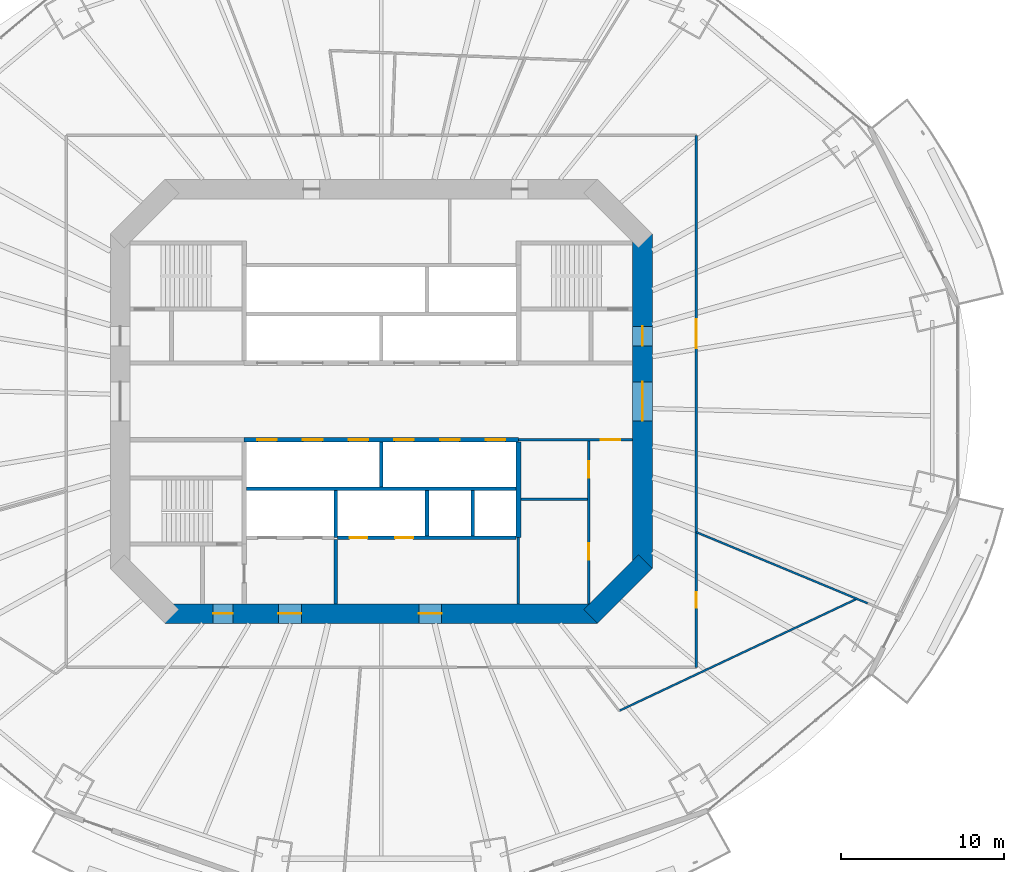
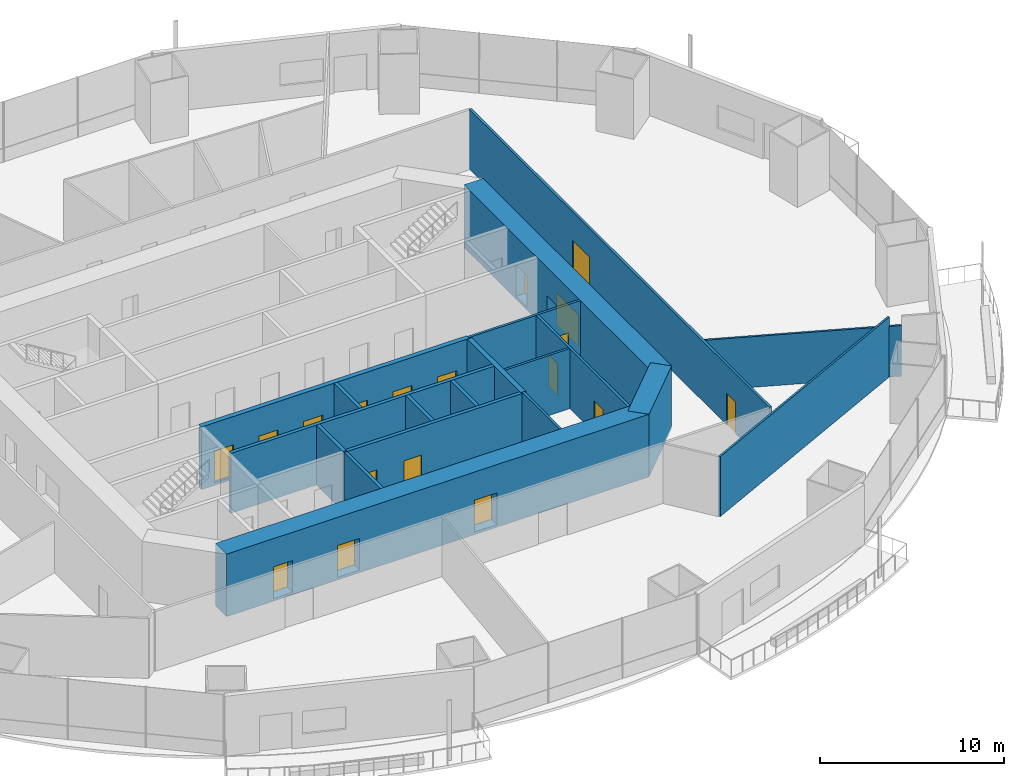
# One storey, part 15 of 23: 19 walls, 18 doors, 18 openings.
"""IFC4 building model written with IfcOpenShell, lengths in metres."""

from ifc_helpers import new_model, si_unit, direction, frame, frame_2d, origin, place, context, subcontext, project, spatial, rectangle, extrude, material, layer, layer_set, type_object, element, fill, save


model = new_model("IFC4")

# Units and contexts
model_context = context("Model", 3, precision=1e-05, world=origin(), true_north=direction((0.0, 1.0)))
body_context = subcontext(model_context, "Body", "Model", "MODEL_VIEW")
ifc_project = project(units=[si_unit("LENGTHUNIT", "METRE"), si_unit("AREAUNIT", "SQUARE_METRE"), si_unit("VOLUMEUNIT", "CUBIC_METRE"), si_unit("PLANEANGLEUNIT", "RADIAN"), si_unit("MASSUNIT", "GRAM", prefix="KILO")], contexts=[model_context])

# Site, building, storey
site_placement = place(None, origin())
site = spatial("IfcSite", under=ifc_project, at=site_placement, CompositionType="ELEMENT")
building_placement = place(site_placement, origin())
building = spatial("IfcBuilding", under=site, at=building_placement, Name="Marenthal Gate Tower", CompositionType="ELEMENT")
storey_placement = place(building_placement, frame((0.0, 0.0, 66.199951171875)))
storey = spatial("IfcBuildingStorey", under=building, at=storey_placement, Name="L12", CompositionType="ELEMENT", Elevation=66.199951171875)

# Wall
ifc_material_1 = material(Name="Concrete 60 MPa", Category="concrete")
ifc_layer_1 = layer(ifc_material_1, 1.199951171875)
ifc_layer_set_1 = layer_set([ifc_layer_1], Name="Core shear wall 1200")
wall_type_1 = type_object("IfcWallType", Name="Core shear wall 1200", PredefinedType="SHEAR", material=ifc_layer_set_1)
wall_1_placement = place(storey_placement, frame((12.82421875, -13.17578125, -0.179931640625), z_axis=(0.0, 0.0, 1.0), x_axis=(0.707106781187, 0.707106781187, 0.0)))
element("IfcWall", 1, at=wall_1_placement, inside=storey, type_object=wall_type_1, Name="Core wall 01", PredefinedType="SHEAR", context=body_context, shape_type="SweptSolid", body=[
    extrude(rectangle(XDim=4.73974609375, YDim=1.199951171875, at=frame_2d((2.369873046875, 0.0))), origin(), (0.0, 0.0, 1.0), 4.14990234375),
])

# Wall, openings, doors
wall_2_placement = place(storey_placement, frame((16.0, -10.24853515625, -0.179931640625), z_axis=(0.0, 0.0, 1.0), x_axis=(0.0, 1.0, 0.0)))
wall_2 = element("IfcWall", 2, at=wall_2_placement, inside=storey, type_object=wall_type_1, Name="Core wall 02", PredefinedType="SHEAR", context=body_context, shape_type="SweptSolid", body=[
    extrude(rectangle(XDim=20.4970703125, YDim=1.199951171875, at=frame_2d((10.24853515625, 0.0))), origin(), (0.0, 0.0, 1.0), 4.14990234375),
])
opening_1_placement = place(wall_2_placement, frame((9.048583984375, 0.0, 0.179931640625)))
opening_1 = element("IfcOpeningElement", 3, at=opening_1_placement, cuts=wall_2, Name="Opening D003.02", PredefinedType="OPENING", context=body_context, shape_type="SweptSolid", body=[
    extrude(rectangle(XDim=2.39990234375, YDim=2.10009765625, at=frame_2d((1.199951171875, 1.050048828125))), frame((0.0, 0.60986328125, 0.0), z_axis=(0.0, -1.0, 0.0), x_axis=(1.0, 0.0, 0.0)), (0.0, 0.0, 1.0), 1.219970703125),
])
opening_2_placement = place(wall_2_placement, frame((13.6484375, 0.0, 0.179931640625)))
opening_2 = element("IfcOpeningElement", 4, at=opening_2_placement, cuts=wall_2, Name="Opening D001.05", PredefinedType="OPENING", context=body_context, shape_type="SweptSolid", body=[
    extrude(rectangle(XDim=1.199951171875, YDim=2.10009765625, at=frame_2d((0.60009765625, 1.050048828125))), frame((0.0, 0.60986328125, 0.0), z_axis=(0.0, -1.0, 0.0), x_axis=(1.0, 0.0, 0.0)), (0.0, 0.0, 1.0), 1.219970703125),
])
ifc_material_2 = material(Name="Steel fire door", Category="steel")
door_type_1 = type_object("IfcDoorType", Name="Double fire door FD 45 2400 x 2100", OperationType="DOUBLE_DOOR_SINGLE_SWING", PredefinedType="DOOR", material=ifc_material_2)
door_1_placement = place(opening_1_placement, origin())
door_1 = element("IfcDoor", 5, at=door_1_placement, inside=storey, type_object=door_type_1, Name="Door D003.02", OperationType="DOUBLE_DOOR_SINGLE_SWING", OverallHeight=2.10009765625, OverallWidth=2.39990234375, PredefinedType="DOOR", context=body_context, shape_type="SweptSolid", body=[
    extrude(rectangle(XDim=2.39990234375, YDim=2.10009765625, at=frame_2d((1.199951171875, 1.050048828125))), frame((0.0, 0.02490234375, 0.0), z_axis=(0.0, -1.0, 0.0), x_axis=(1.0, 0.0, 0.0)), (0.0, 0.0, 1.0), 0.050048828125),
])
fill(opening_1, door_1)
ifc_material_3 = material(Name="Steel fire door", Category="steel")
door_type_2 = type_object("IfcDoorType", Name="Fire door FD 90 1200 x 2100", OperationType="NOTDEFINED", PredefinedType="DOOR", material=ifc_material_3)
door_2_placement = place(opening_2_placement, origin())
door_2 = element("IfcDoor", 6, at=door_2_placement, inside=storey, type_object=door_type_2, Name="Door D001.05", OperationType="SINGLE_SWING_RIGHT", OverallHeight=2.10009765625, OverallWidth=1.199951171875, PredefinedType="DOOR", context=body_context, shape_type="SweptSolid", body=[
    extrude(rectangle(XDim=1.199951171875, YDim=2.10009765625, at=frame_2d((0.60009765625, 1.050048828125))), frame((0.0, 0.02490234375, 0.0), z_axis=(0.0, -1.0, 0.0), x_axis=(1.0, 0.0, 0.0)), (0.0, 0.0, 1.0), 0.050048828125),
])
fill(opening_2, door_2)

wall_3_placement = place(storey_placement, frame((-13.24853515625, -13.0, -0.179931640625), z_axis=(0.0, 0.0, 1.0), x_axis=(1.0, 0.0, 0.0)))
wall_3 = element("IfcWall", 7, at=wall_3_placement, inside=storey, type_object=wall_type_1, Name="Core wall 08", PredefinedType="SHEAR", context=body_context, shape_type="SweptSolid", body=[
    extrude(rectangle(XDim=26.4970703125, YDim=1.199951171875, at=frame_2d((13.24853515625, 0.0))), origin(), (0.0, 0.0, 1.0), 4.14990234375),
])
opening_3_placement = place(wall_3_placement, frame((2.948486328125, 0.0, 0.179931640625)))
opening_3 = element("IfcOpeningElement", 8, at=opening_3_placement, cuts=wall_3, Name="Opening D001.06", PredefinedType="OPENING", context=body_context, shape_type="SweptSolid", body=[
    extrude(rectangle(XDim=1.199951171875, YDim=2.10009765625, at=frame_2d((0.60009765625, 1.050048828125))), frame((0.0, 0.60986328125, 0.0), z_axis=(0.0, -1.0, 0.0), x_axis=(1.0, 0.0, 0.0)), (0.0, 0.0, 1.0), 1.219970703125),
])
opening_4_placement = place(wall_3_placement, frame((6.948486328125, 0.0, 0.179931640625)))
opening_4 = element("IfcOpeningElement", 9, at=opening_4_placement, cuts=wall_3, Name="Opening D004.01", PredefinedType="OPENING", context=body_context, shape_type="SweptSolid", body=[
    extrude(rectangle(XDim=1.39990234375, YDim=2.10009765625, at=frame_2d((0.699951171875, 1.050048828125))), frame((0.0, 0.60986328125, 0.0), z_axis=(0.0, -1.0, 0.0), x_axis=(1.0, 0.0, 0.0)), (0.0, 0.0, 1.0), 1.219970703125),
])
opening_5_placement = place(wall_3_placement, frame((15.548583984375, 0.0, 0.179931640625)))
opening_5 = element("IfcOpeningElement", 10, at=opening_5_placement, cuts=wall_3, Name="Opening D004.02", PredefinedType="OPENING", context=body_context, shape_type="SweptSolid", body=[
    extrude(rectangle(XDim=1.39990234375, YDim=2.10009765625, at=frame_2d((0.699951171875, 1.050048828125))), frame((0.0, 0.60986328125, 0.0), z_axis=(0.0, -1.0, 0.0), x_axis=(1.0, 0.0, 0.0)), (0.0, 0.0, 1.0), 1.219970703125),
])
ifc_material_4 = material(Name="Steel fire door", Category="steel")
door_type_3 = type_object("IfcDoorType", Name="Fire door FD 45 1400 x 2100", OperationType="NOTDEFINED", PredefinedType="DOOR", material=ifc_material_4)
door_3_placement = place(opening_4_placement, origin())
door_3 = element("IfcDoor", 11, at=door_3_placement, inside=storey, type_object=door_type_3, Name="Door D004.01", OperationType="SINGLE_SWING_RIGHT", OverallHeight=2.10009765625, OverallWidth=1.39990234375, PredefinedType="DOOR", context=body_context, shape_type="SweptSolid", body=[
    extrude(rectangle(XDim=1.39990234375, YDim=2.10009765625, at=frame_2d((0.699951171875, 1.050048828125))), frame((0.0, 0.02490234375, 0.0), z_axis=(0.0, -1.0, 0.0), x_axis=(1.0, 0.0, 0.0)), (0.0, 0.0, 1.0), 0.050048828125),
])
fill(opening_4, door_3)
door_4_placement = place(opening_5_placement, origin())
door_4 = element("IfcDoor", 12, at=door_4_placement, inside=storey, type_object=door_type_3, Name="Door D004.02", OperationType="SINGLE_SWING_RIGHT", OverallHeight=2.10009765625, OverallWidth=1.39990234375, PredefinedType="DOOR", context=body_context, shape_type="SweptSolid", body=[
    extrude(rectangle(XDim=1.39990234375, YDim=2.10009765625, at=frame_2d((0.699951171875, 1.050048828125))), frame((0.0, 0.02490234375, 0.0), z_axis=(0.0, -1.0, 0.0), x_axis=(1.0, 0.0, 0.0)), (0.0, 0.0, 1.0), 0.050048828125),
])
fill(opening_5, door_4)
door_5_placement = place(opening_3_placement, origin())
door_5 = element("IfcDoor", 13, at=door_5_placement, inside=storey, type_object=door_type_2, Name="Door D001.06", OperationType="SINGLE_SWING_RIGHT", OverallHeight=2.10009765625, OverallWidth=1.199951171875, PredefinedType="DOOR", context=body_context, shape_type="SweptSolid", body=[
    extrude(rectangle(XDim=1.199951171875, YDim=2.10009765625, at=frame_2d((0.60009765625, 1.050048828125))), frame((0.0, 0.02490234375, 0.0), z_axis=(0.0, -1.0, 0.0), x_axis=(1.0, 0.0, 0.0)), (0.0, 0.0, 1.0), 0.050048828125),
])
fill(opening_3, door_5)

# Wall
ifc_material_5 = material(Name="Gypsum board on steel studs", Category="steel")
ifc_layer_2 = layer(ifc_material_5, 0.199951171875)
ifc_layer_set_2 = layer_set([ifc_layer_2], Name="Fire lobby wall 200")
wall_type_2 = type_object("IfcWallType", Name="Fire lobby wall 200", PredefinedType="PARTITIONING", material=ifc_layer_set_2)
wall_4_placement = place(storey_placement, frame((-2.800048828125, -12.39990234375, 0.0), z_axis=(0.0, 0.0, 1.0), x_axis=(0.0, 1.0, 0.0)))
element("IfcWall", 14, at=wall_4_placement, inside=storey, type_object=wall_type_2, Name="Fire wall 33", PredefinedType="PARTITIONING", context=body_context, shape_type="SweptSolid", body=[
    extrude(rectangle(XDim=3.93994140625, YDim=0.199951171875, at=frame_2d((1.969970703125, 0.0))), origin(), (0.0, 0.0, 1.0), 3.969970703125),
])

# Wall, openings, doors
ifc_material_6 = material(Name="Concrete 50 MPa", Category="concrete")
ifc_layer_3 = layer(ifc_material_6, 0.300048828125)
ifc_layer_set_3 = layer_set([ifc_layer_3], Name="Hoistway shear wall 300")
wall_type_3 = type_object("IfcWallType", Name="Hoistway shear wall 300", PredefinedType="SHEAR", material=ifc_layer_set_3)
wall_5_placement = place(storey_placement, frame((-8.39990234375, -2.35009765625, -0.179931640625), z_axis=(0.0, 0.0, 1.0), x_axis=(1.0, 0.0, 0.0)))
wall_5 = element("IfcWall", 15, at=wall_5_placement, inside=storey, type_object=wall_type_3, Name="Hoistway wall 16", PredefinedType="SHEAR", context=body_context, shape_type="SweptSolid", body=[
    extrude(rectangle(XDim=16.7998046875, YDim=0.300048828125, at=frame_2d((8.39990234375, 0.0))), origin(), (0.0, 0.0, 1.0), 4.14990234375),
])
opening_6_placement = place(wall_5_placement, frame((0.800048828125, 0.0, 0.179931640625)))
opening_6 = element("IfcOpeningElement", 16, at=opening_6_placement, cuts=wall_5, Name="Opening LD-LP7", PredefinedType="OPENING", context=body_context, shape_type="SweptSolid", body=[
    extrude(rectangle(XDim=1.199951171875, YDim=2.10009765625, at=frame_2d((0.60009765625, 1.050048828125))), frame((0.0, 0.16015625, 0.0), z_axis=(0.0, -1.0, 0.0), x_axis=(1.0, 0.0, 0.0)), (0.0, 0.0, 1.0), 0.320068359375),
])
opening_7_placement = place(wall_5_placement, frame((3.60009765625, 0.0, 0.179931640625)))
opening_7 = element("IfcOpeningElement", 17, at=opening_7_placement, cuts=wall_5, Name="Opening LD-LP8", PredefinedType="OPENING", context=body_context, shape_type="SweptSolid", body=[
    extrude(rectangle(XDim=1.199951171875, YDim=2.10009765625, at=frame_2d((0.60009765625, 1.050048828125))), frame((0.0, 0.16015625, 0.0), z_axis=(0.0, -1.0, 0.0), x_axis=(1.0, 0.0, 0.0)), (0.0, 0.0, 1.0), 0.320068359375),
])
opening_8_placement = place(wall_5_placement, frame((6.39990234375, 0.0, 0.179931640625)))
opening_8 = element("IfcOpeningElement", 18, at=opening_8_placement, cuts=wall_5, Name="Opening LD-LP9", PredefinedType="OPENING", context=body_context, shape_type="SweptSolid", body=[
    extrude(rectangle(XDim=1.199951171875, YDim=2.10009765625, at=frame_2d((0.60009765625, 1.050048828125))), frame((0.0, 0.16015625, 0.0), z_axis=(0.0, -1.0, 0.0), x_axis=(1.0, 0.0, 0.0)), (0.0, 0.0, 1.0), 0.320068359375),
])
opening_9_placement = place(wall_5_placement, frame((9.199951171875, 0.0, 0.179931640625)))
opening_9 = element("IfcOpeningElement", 19, at=opening_9_placement, cuts=wall_5, Name="Opening LD-LP10", PredefinedType="OPENING", context=body_context, shape_type="SweptSolid", body=[
    extrude(rectangle(XDim=1.199951171875, YDim=2.10009765625, at=frame_2d((0.60009765625, 1.050048828125))), frame((0.0, 0.16015625, 0.0), z_axis=(0.0, -1.0, 0.0), x_axis=(1.0, 0.0, 0.0)), (0.0, 0.0, 1.0), 0.320068359375),
])
opening_10_placement = place(wall_5_placement, frame((12.0, 0.0, 0.179931640625)))
opening_10 = element("IfcOpeningElement", 20, at=opening_10_placement, cuts=wall_5, Name="Opening LD-LP11", PredefinedType="OPENING", context=body_context, shape_type="SweptSolid", body=[
    extrude(rectangle(XDim=1.199951171875, YDim=2.10009765625, at=frame_2d((0.60009765625, 1.050048828125))), frame((0.0, 0.16015625, 0.0), z_axis=(0.0, -1.0, 0.0), x_axis=(1.0, 0.0, 0.0)), (0.0, 0.0, 1.0), 0.320068359375),
])
opening_11_placement = place(wall_5_placement, frame((14.800048828125, 0.0, 0.179931640625)))
opening_11 = element("IfcOpeningElement", 21, at=opening_11_placement, cuts=wall_5, Name="Opening LD-LP12", PredefinedType="OPENING", context=body_context, shape_type="SweptSolid", body=[
    extrude(rectangle(XDim=1.199951171875, YDim=2.10009765625, at=frame_2d((0.60009765625, 1.050048828125))), frame((0.0, 0.16015625, 0.0), z_axis=(0.0, -1.0, 0.0), x_axis=(1.0, 0.0, 0.0)), (0.0, 0.0, 1.0), 0.320068359375),
])
ifc_material_7 = material(Name="Stainless steel sliding door", Category="steel")
door_type_4 = type_object("IfcDoorType", Name="Lift landing door FD 90 1200 x 2100", OperationType="DOUBLE_DOOR_SLIDING", PredefinedType="DOOR", material=ifc_material_7)
door_6_placement = place(opening_6_placement, origin())
door_6 = element("IfcDoor", 22, at=door_6_placement, inside=storey, type_object=door_type_4, Name="Lift landing door LP7", OperationType="DOUBLE_DOOR_SLIDING", OverallHeight=2.10009765625, OverallWidth=1.199951171875, PredefinedType="DOOR", context=body_context, shape_type="SweptSolid", body=[
    extrude(rectangle(XDim=1.199951171875, YDim=2.10009765625, at=frame_2d((0.60009765625, 1.050048828125))), frame((0.0, 0.02490234375, 0.0), z_axis=(0.0, -1.0, 0.0), x_axis=(1.0, 0.0, 0.0)), (0.0, 0.0, 1.0), 0.050048828125),
])
fill(opening_6, door_6)
door_7_placement = place(opening_7_placement, origin())
door_7 = element("IfcDoor", 23, at=door_7_placement, inside=storey, type_object=door_type_4, Name="Lift landing door LP8", OperationType="DOUBLE_DOOR_SLIDING", OverallHeight=2.10009765625, OverallWidth=1.199951171875, PredefinedType="DOOR", context=body_context, shape_type="SweptSolid", body=[
    extrude(rectangle(XDim=1.199951171875, YDim=2.10009765625, at=frame_2d((0.60009765625, 1.050048828125))), frame((0.0, 0.02490234375, 0.0), z_axis=(0.0, -1.0, 0.0), x_axis=(1.0, 0.0, 0.0)), (0.0, 0.0, 1.0), 0.050048828125),
])
fill(opening_7, door_7)
door_8_placement = place(opening_8_placement, origin())
door_8 = element("IfcDoor", 24, at=door_8_placement, inside=storey, type_object=door_type_4, Name="Lift landing door LP9", OperationType="DOUBLE_DOOR_SLIDING", OverallHeight=2.10009765625, OverallWidth=1.199951171875, PredefinedType="DOOR", context=body_context, shape_type="SweptSolid", body=[
    extrude(rectangle(XDim=1.199951171875, YDim=2.10009765625, at=frame_2d((0.60009765625, 1.050048828125))), frame((0.0, 0.02490234375, 0.0), z_axis=(0.0, -1.0, 0.0), x_axis=(1.0, 0.0, 0.0)), (0.0, 0.0, 1.0), 0.050048828125),
])
fill(opening_8, door_8)
door_9_placement = place(opening_9_placement, origin())
door_9 = element("IfcDoor", 25, at=door_9_placement, inside=storey, type_object=door_type_4, Name="Lift landing door LP10", OperationType="DOUBLE_DOOR_SLIDING", OverallHeight=2.10009765625, OverallWidth=1.199951171875, PredefinedType="DOOR", context=body_context, shape_type="SweptSolid", body=[
    extrude(rectangle(XDim=1.199951171875, YDim=2.10009765625, at=frame_2d((0.60009765625, 1.050048828125))), frame((0.0, 0.02490234375, 0.0), z_axis=(0.0, -1.0, 0.0), x_axis=(1.0, 0.0, 0.0)), (0.0, 0.0, 1.0), 0.050048828125),
])
fill(opening_9, door_9)
door_10_placement = place(opening_10_placement, origin())
door_10 = element("IfcDoor", 26, at=door_10_placement, inside=storey, type_object=door_type_4, Name="Lift landing door LP11", OperationType="DOUBLE_DOOR_SLIDING", OverallHeight=2.10009765625, OverallWidth=1.199951171875, PredefinedType="DOOR", context=body_context, shape_type="SweptSolid", body=[
    extrude(rectangle(XDim=1.199951171875, YDim=2.10009765625, at=frame_2d((0.60009765625, 1.050048828125))), frame((0.0, 0.02490234375, 0.0), z_axis=(0.0, -1.0, 0.0), x_axis=(1.0, 0.0, 0.0)), (0.0, 0.0, 1.0), 0.050048828125),
])
fill(opening_10, door_10)
door_11_placement = place(opening_11_placement, origin())
door_11 = element("IfcDoor", 27, at=door_11_placement, inside=storey, type_object=door_type_4, Name="Lift landing door LP12", OperationType="DOUBLE_DOOR_SLIDING", OverallHeight=2.10009765625, OverallWidth=1.199951171875, PredefinedType="DOOR", context=body_context, shape_type="SweptSolid", body=[
    extrude(rectangle(XDim=1.199951171875, YDim=2.10009765625, at=frame_2d((0.60009765625, 1.050048828125))), frame((0.0, 0.02490234375, 0.0), z_axis=(0.0, -1.0, 0.0), x_axis=(1.0, 0.0, 0.0)), (0.0, 0.0, 1.0), 0.050048828125),
])
fill(opening_11, door_11)

# Wall
wall_6_placement = place(storey_placement, frame((8.39990234375, -8.35009765625, -0.179931640625), z_axis=(0.0, 0.0, 1.0), x_axis=(0.0, 1.0, 0.0)))
element("IfcWall", 28, at=wall_6_placement, inside=storey, type_object=wall_type_3, Name="Hoistway wall 42", PredefinedType="SHEAR", context=body_context, shape_type="SweptSolid", body=[
    extrude(rectangle(XDim=5.85009765625, YDim=0.300048828125, at=frame_2d((2.925048828125, 0.0))), origin(), (0.0, 0.0, 1.0), 4.14990234375),
])

# Wall, openings, doors
ifc_material_8 = material(Name="Concrete 40 MPa", Category="concrete")
ifc_layer_4 = layer(ifc_material_8, 0.219970703125)
ifc_layer_set_4 = layer_set([ifc_layer_4], Name="Hoistway wall 220")
wall_type_4 = type_object("IfcWallType", Name="Hoistway wall 220", PredefinedType="STANDARD", material=ifc_layer_set_4)
wall_7_placement = place(storey_placement, frame((-2.68994140625, -8.35009765625, 0.0), z_axis=(0.0, 0.0, 1.0), x_axis=(1.0, 0.0, 0.0)))
wall_7 = element("IfcWall", 29, at=wall_7_placement, inside=storey, type_object=wall_type_4, Name="Hoistway wall 11", PredefinedType="STANDARD", context=body_context, shape_type="SweptSolid", body=[
    extrude(rectangle(XDim=10.93994140625, YDim=0.219970703125, at=frame_2d((5.469970703125, 0.0))), origin(), (0.0, 0.0, 1.0), 3.969970703125),
])
opening_12_placement = place(wall_7_placement, frame((0.739990234375, 0.0, 0.0)))
opening_12 = element("IfcOpeningElement", 30, at=opening_12_placement, cuts=wall_7, Name="Opening LD-SV1", PredefinedType="OPENING", context=body_context, shape_type="SweptSolid", body=[
    extrude(rectangle(XDim=1.10009765625, YDim=2.10009765625, at=frame_2d((0.550048828125, 1.050048828125))), frame((0.0, 0.1201171875, 0.0), z_axis=(0.0, -1.0, 0.0), x_axis=(1.0, 0.0, 0.0)), (0.0, 0.0, 1.0), 0.239990234375),
])
opening_13_placement = place(wall_7_placement, frame((3.5400390625, 0.0, 0.0)))
opening_13 = element("IfcOpeningElement", 31, at=opening_13_placement, cuts=wall_7, Name="Opening LD-SV2", PredefinedType="OPENING", context=body_context, shape_type="SweptSolid", body=[
    extrude(rectangle(XDim=1.10009765625, YDim=2.10009765625, at=frame_2d((0.550048828125, 1.050048828125))), frame((0.0, 0.1201171875, 0.0), z_axis=(0.0, -1.0, 0.0), x_axis=(1.0, 0.0, 0.0)), (0.0, 0.0, 1.0), 0.239990234375),
])
ifc_material_9 = material(Name="Stainless steel sliding door", Category="steel")
door_type_5 = type_object("IfcDoorType", Name="Lift landing door FD 90 1100 x 2100", OperationType="DOUBLE_DOOR_SLIDING", PredefinedType="DOOR", material=ifc_material_9)
door_12_placement = place(opening_12_placement, origin())
door_12 = element("IfcDoor", 32, at=door_12_placement, inside=storey, type_object=door_type_5, Name="Lift landing door SV1", OperationType="DOUBLE_DOOR_SLIDING", OverallHeight=2.10009765625, OverallWidth=1.10009765625, PredefinedType="DOOR", context=body_context, shape_type="SweptSolid", body=[
    extrude(rectangle(XDim=1.10009765625, YDim=2.10009765625, at=frame_2d((0.550048828125, 1.050048828125))), frame((0.0, 0.02490234375, 0.0), z_axis=(0.0, -1.0, 0.0), x_axis=(1.0, 0.0, 0.0)), (0.0, 0.0, 1.0), 0.050048828125),
])
fill(opening_12, door_12)
door_13_placement = place(opening_13_placement, origin())
door_13 = element("IfcDoor", 33, at=door_13_placement, inside=storey, type_object=door_type_5, Name="Lift landing door SV2", OperationType="DOUBLE_DOOR_SLIDING", OverallHeight=2.10009765625, OverallWidth=1.10009765625, PredefinedType="DOOR", context=body_context, shape_type="SweptSolid", body=[
    extrude(rectangle(XDim=1.10009765625, YDim=2.10009765625, at=frame_2d((0.550048828125, 1.050048828125))), frame((0.0, 0.02490234375, 0.0), z_axis=(0.0, -1.0, 0.0), x_axis=(1.0, 0.0, 0.0)), (0.0, 0.0, 1.0), 0.050048828125),
])
fill(opening_13, door_13)

# Walls
wall_8_placement = place(storey_placement, frame((-8.25, -5.35009765625, 0.0), z_axis=(0.0, 0.0, 1.0), x_axis=(1.0, 0.0, 0.0)))
element("IfcWall", 34, at=wall_8_placement, inside=storey, type_object=wall_type_4, Name="Hoistway wall 13", PredefinedType="STANDARD", context=body_context, shape_type="SweptSolid", body=[
    extrude(rectangle(XDim=16.5, YDim=0.219970703125, at=frame_2d((8.25, 0.0))), origin(), (0.0, 0.0, 1.0), 3.969970703125),
])
wall_9_placement = place(storey_placement, frame((-2.800048828125, -8.35009765625, 0.0), z_axis=(0.0, 0.0, 1.0), x_axis=(0.0, 1.0, 0.0)))
element("IfcWall", 35, at=wall_9_placement, inside=storey, type_object=wall_type_4, Name="Hoistway wall 34", PredefinedType="STANDARD", context=body_context, shape_type="SweptSolid", body=[
    extrude(rectangle(XDim=2.89013671875, YDim=0.219970703125, at=frame_2d((1.445068359375, 0.0))), origin(), (0.0, 0.0, 1.0), 3.969970703125),
])
wall_10_placement = place(storey_placement, frame((0.0, -5.239990234375, 0.0), z_axis=(0.0, 0.0, 1.0), x_axis=(0.0, 1.0, 0.0)))
element("IfcWall", 36, at=wall_10_placement, inside=storey, type_object=wall_type_4, Name="Hoistway wall 35", PredefinedType="STANDARD", context=body_context, shape_type="SweptSolid", body=[
    extrude(rectangle(XDim=2.739990234375, YDim=0.219970703125, at=frame_2d((1.3701171875, 0.0))), origin(), (0.0, 0.0, 1.0), 3.969970703125),
])
for number, where, z_axis, x_axis, name in (
    (37, (2.800048828125, -8.239990234375, 0.0), (0.0, 0.0, 1.0), (0.0, 1.0, 0.0), "Hoistway wall 37"),
    (38, (5.60009765625, -8.239990234375, 0.0), (0.0, 0.0, 1.0), (0.0, 1.0, 0.0), "Hoistway wall 40"),
):
    element("IfcWall", number, at=place(storey_placement, frame(where, z_axis=z_axis, x_axis=x_axis)), inside=storey, type_object=wall_type_4, Name=name, PredefinedType="STANDARD", context=body_context, shape_type="SweptSolid", body=[
        extrude(rectangle(XDim=2.780029296875, YDim=0.219970703125, at=frame_2d((1.39013671875, 0.0))), origin(), (0.0, 0.0, 1.0), 3.969970703125),
    ])
ifc_material_10 = material(Name="Gypsum board on steel studs", Category="steel")
ifc_layer_5 = layer(ifc_material_10, 0.1201171875)
ifc_layer_set_5 = layer_set([ifc_layer_5], Name="Partition 120")
wall_type_5 = type_object("IfcWallType", Name="Partition 120", PredefinedType="PARTITIONING", material=ifc_layer_set_5)
wall_11_placement = place(storey_placement, frame((14.567626953125, -18.95947265625, 0.0), z_axis=(0.0, 0.0, 1.0), x_axis=(0.904611019934, 0.426238082078, 0.0)))
element("IfcWall", 39, at=wall_11_placement, inside=storey, type_object=wall_type_5, Name="Partition wall 60", PredefinedType="PARTITIONING", context=body_context, shape_type="SweptSolid", body=[
    extrude(rectangle(XDim=16.099609375, YDim=0.1201171875, at=frame_2d((8.0498046875, 0.0))), origin(), (0.0, 0.0, 1.0), 3.969970703125),
])
wall_12_placement = place(storey_placement, frame((19.300048828125, -8.014404296875, 0.0), z_axis=(0.0, 0.0, 1.0), x_axis=(0.923538075928, -0.383506743501, 0.0)))
element("IfcWall", 40, at=wall_12_placement, inside=storey, type_object=wall_type_5, Name="Partition wall 63", PredefinedType="PARTITIONING", context=body_context, shape_type="SweptSolid", body=[
    extrude(rectangle(XDim=11.35498046875, YDim=0.1201171875, at=frame_2d((5.677490234375, 0.0))), origin(), (0.0, 0.0, 1.0), 3.358154296875),
])
ifc_material_11 = material(Name="Gypsum board on steel studs", Category="steel")
ifc_layer_6 = layer(ifc_material_11, 0.14990234375)
ifc_layer_set_6 = layer_set([ifc_layer_6], Name="Partition 150")
wall_type_6 = type_object("IfcWallType", Name="Partition 150", PredefinedType="PARTITIONING", material=ifc_layer_set_6)
wall_13_placement = place(storey_placement, frame((8.550048828125, -6.0, 0.0), z_axis=(0.0, 0.0, 1.0), x_axis=(1.0, 0.0, 0.0)))
element("IfcWall", 41, at=wall_13_placement, inside=storey, type_object=wall_type_6, Name="Partition wall 12", PredefinedType="PARTITIONING", context=body_context, shape_type="SweptSolid", body=[
    extrude(rectangle(XDim=4.074951171875, YDim=0.14990234375, at=frame_2d((2.03759765625, 0.0))), origin(), (0.0, 0.0, 1.0), 3.969970703125),
])

# Wall, opening, door
wall_14_placement = place(storey_placement, frame((8.39990234375, -2.35009765625, 0.0), z_axis=(0.0, 0.0, 1.0), x_axis=(1.0, 0.0, 0.0)))
wall_14 = element("IfcWall", 42, at=wall_14_placement, inside=storey, type_object=wall_type_6, Name="Partition wall 17", PredefinedType="PARTITIONING", context=body_context, shape_type="SweptSolid", body=[
    extrude(rectangle(XDim=7.0, YDim=0.14990234375, at=frame_2d((3.5, 0.0))), origin(), (0.0, 0.0, 1.0), 3.969970703125),
])
opening_14_placement = place(wall_14_placement, frame((5.050048828125, 0.0, 0.0)))
opening_14 = element("IfcOpeningElement", 43, at=opening_14_placement, cuts=wall_14, Name="Opening D006.01", PredefinedType="OPENING", context=body_context, shape_type="SweptSolid", body=[
    extrude(rectangle(XDim=1.199951171875, YDim=2.10009765625, at=frame_2d((0.60009765625, 1.050048828125))), frame((0.0, 0.0849609375, 0.0), z_axis=(0.0, -1.0, 0.0), x_axis=(1.0, 0.0, 0.0)), (0.0, 0.0, 1.0), 0.169921875),
])
ifc_material_12 = material(Name="Steel fire door", Category="steel")
door_type_6 = type_object("IfcDoorType", Name="Fire door FD 45 1200 x 2100", OperationType="NOTDEFINED", PredefinedType="DOOR", material=ifc_material_12)
door_14_placement = place(opening_14_placement, frame((1.199951171875, 0.0, 0.0), z_axis=(0.0, 0.0, 1.0), x_axis=(-1.0, 0.0, 0.0)))
door_14 = element("IfcDoor", 44, at=door_14_placement, inside=storey, type_object=door_type_6, Name="Door D006.01", OperationType="SINGLE_SWING_LEFT", OverallHeight=2.10009765625, OverallWidth=1.199951171875, PredefinedType="DOOR", context=body_context, shape_type="SweptSolid", body=[
    extrude(rectangle(XDim=1.199951171875, YDim=2.10009765625, at=frame_2d((0.60009765625, 1.050048828125))), frame((0.0, 0.02490234375, 0.0), z_axis=(0.0, -1.0, 0.0), x_axis=(1.0, 0.0, 0.0)), (0.0, 0.0, 1.0), 0.050048828125),
])
fill(opening_14, door_14)

# Wall
wall_15_placement = place(storey_placement, frame((8.39990234375, -12.39990234375, 0.0), z_axis=(0.0, 0.0, 1.0), x_axis=(0.0, 1.0, 0.0)))
element("IfcWall", 45, at=wall_15_placement, inside=storey, type_object=wall_type_6, Name="Partition wall 41", PredefinedType="PARTITIONING", context=body_context, shape_type="SweptSolid", body=[
    extrude(rectangle(XDim=4.0498046875, YDim=0.14990234375, at=frame_2d((2.02490234375, 0.0))), origin(), (0.0, 0.0, 1.0), 3.969970703125),
])

# Wall, openings, doors
wall_16_placement = place(storey_placement, frame((12.699951171875, -12.39990234375, 0.0), z_axis=(0.0, 0.0, 1.0), x_axis=(0.0, 1.0, 0.0)))
wall_16 = element("IfcWall", 46, at=wall_16_placement, inside=storey, type_object=wall_type_6, Name="Partition wall 45", PredefinedType="PARTITIONING", context=body_context, shape_type="SweptSolid", body=[
    extrude(rectangle(XDim=9.974853515625, YDim=0.14990234375, at=frame_2d((4.9873046875, 0.0))), origin(), (0.0, 0.0, 1.0), 3.969970703125),
])
opening_15_placement = place(wall_16_placement, frame((7.72509765625, 0.0, 0.0)))
opening_15 = element("IfcOpeningElement", 47, at=opening_15_placement, cuts=wall_16, Name="Opening D005.03", PredefinedType="OPENING", context=body_context, shape_type="SweptSolid", body=[
    extrude(rectangle(XDim=1.0, YDim=2.10009765625, at=frame_2d((0.5, 1.050048828125))), frame((0.0, 0.0849609375, 0.0), z_axis=(0.0, -1.0, 0.0), x_axis=(1.0, 0.0, 0.0)), (0.0, 0.0, 1.0), 0.169921875),
])
opening_16_placement = place(wall_16_placement, frame((2.699951171875, 0.0, 0.0)))
opening_16 = element("IfcOpeningElement", 48, at=opening_16_placement, cuts=wall_16, Name="Opening D005.04", PredefinedType="OPENING", context=body_context, shape_type="SweptSolid", body=[
    extrude(rectangle(XDim=1.0, YDim=2.10009765625, at=frame_2d((0.5, 1.050048828125))), frame((0.0, 0.0849609375, 0.0), z_axis=(0.0, -1.0, 0.0), x_axis=(1.0, 0.0, 0.0)), (0.0, 0.0, 1.0), 0.169921875),
])
ifc_material_13 = material(Name="Steel fire door", Category="steel")
door_type_7 = type_object("IfcDoorType", Name="Fire door FD 45 1000 x 2100", OperationType="NOTDEFINED", PredefinedType="DOOR", material=ifc_material_13)
door_15_placement = place(opening_15_placement, origin())
door_15 = element("IfcDoor", 49, at=door_15_placement, inside=storey, type_object=door_type_7, Name="Door D005.03", OperationType="SINGLE_SWING_RIGHT", OverallHeight=2.10009765625, OverallWidth=1.0, PredefinedType="DOOR", context=body_context, shape_type="SweptSolid", body=[
    extrude(rectangle(XDim=1.0, YDim=2.10009765625, at=frame_2d((0.5, 1.050048828125))), frame((0.0, 0.02490234375, 0.0), z_axis=(0.0, -1.0, 0.0), x_axis=(1.0, 0.0, 0.0)), (0.0, 0.0, 1.0), 0.050048828125),
])
fill(opening_15, door_15)
door_16_placement = place(opening_16_placement, origin())
door_16 = element("IfcDoor", 50, at=door_16_placement, inside=storey, type_object=door_type_7, Name="Door D005.04", OperationType="SINGLE_SWING_RIGHT", OverallHeight=2.10009765625, OverallWidth=1.0, PredefinedType="DOOR", context=body_context, shape_type="SweptSolid", body=[
    extrude(rectangle(XDim=1.0, YDim=2.10009765625, at=frame_2d((0.5, 1.050048828125))), frame((0.0, 0.02490234375, 0.0), z_axis=(0.0, -1.0, 0.0), x_axis=(1.0, 0.0, 0.0)), (0.0, 0.0, 1.0), 0.050048828125),
])
fill(opening_16, door_16)

wall_17_placement = place(storey_placement, frame((19.300048828125, 16.300048828125, 0.0), z_axis=(0.0, 0.0, 1.0), x_axis=(0.0, -1.0, 0.0)))
wall_17 = element("IfcWall", 51, at=wall_17_placement, inside=storey, type_object=wall_type_6, Name="Partition wall 64", PredefinedType="PARTITIONING", context=body_context, shape_type="SweptSolid", body=[
    extrude(rectangle(XDim=32.60009765625, YDim=0.14990234375, at=frame_2d((16.300048828125, 0.0))), origin(), (0.0, 0.0, 1.0), 3.969970703125),
])
opening_17_placement = place(wall_17_placement, frame((27.98193359375, 0.0, 0.0)))
opening_17 = element("IfcOpeningElement", 52, at=opening_17_placement, cuts=wall_17, Name="Opening D016.07", PredefinedType="OPENING", context=body_context, shape_type="SweptSolid", body=[
    extrude(rectangle(XDim=0.949951171875, YDim=2.10009765625, at=frame_2d((0.47509765625, 1.050048828125))), frame((0.0, 0.0849609375, 0.0), z_axis=(0.0, -1.0, 0.0), x_axis=(1.0, 0.0, 0.0)), (0.0, 0.0, 1.0), 0.169921875),
])
opening_18_placement = place(wall_17_placement, frame((11.257080078125, 0.0, 0.0)))
opening_18 = element("IfcOpeningElement", 53, at=opening_18_placement, cuts=wall_17, Name="Opening D014.04", PredefinedType="OPENING", context=body_context, shape_type="SweptSolid", body=[
    extrude(rectangle(XDim=1.800048828125, YDim=2.10009765625, at=frame_2d((0.89990234375, 1.050048828125))), frame((0.0, 0.0849609375, 0.0), z_axis=(0.0, -1.0, 0.0), x_axis=(1.0, 0.0, 0.0)), (0.0, 0.0, 1.0), 0.169921875),
])
ifc_material_14 = material(Name="Timber door", Category="wood")
door_type_8 = type_object("IfcDoorType", Name="Door 950 x 2100", OperationType="NOTDEFINED", PredefinedType="DOOR", material=ifc_material_14)
door_17_placement = place(opening_17_placement, origin())
door_17 = element("IfcDoor", 54, at=door_17_placement, inside=storey, type_object=door_type_8, Name="Door D016.07", OperationType="SINGLE_SWING_RIGHT", OverallHeight=2.10009765625, OverallWidth=0.949951171875, PredefinedType="DOOR", context=body_context, shape_type="SweptSolid", body=[
    extrude(rectangle(XDim=0.949951171875, YDim=2.10009765625, at=frame_2d((0.47509765625, 1.050048828125))), frame((0.0, 0.02490234375, 0.0), z_axis=(0.0, -1.0, 0.0), x_axis=(1.0, 0.0, 0.0)), (0.0, 0.0, 1.0), 0.050048828125),
])
fill(opening_17, door_17)
ifc_material_15 = material(Name="Timber door", Category="wood")
door_type_9 = type_object("IfcDoorType", Name="Double door 1800 x 2100", OperationType="DOUBLE_DOOR_SINGLE_SWING", PredefinedType="DOOR", material=ifc_material_15)
door_18_placement = place(opening_18_placement, origin())
door_18 = element("IfcDoor", 55, at=door_18_placement, inside=storey, type_object=door_type_9, Name="Door D014.04", OperationType="DOUBLE_DOOR_SINGLE_SWING", OverallHeight=2.10009765625, OverallWidth=1.800048828125, PredefinedType="DOOR", context=body_context, shape_type="SweptSolid", body=[
    extrude(rectangle(XDim=1.800048828125, YDim=2.10009765625, at=frame_2d((0.89990234375, 1.050048828125))), frame((0.0, 0.02490234375, 0.0), z_axis=(0.0, -1.0, 0.0), x_axis=(1.0, 0.0, 0.0)), (0.0, 0.0, 1.0), 0.050048828125),
])
fill(opening_18, door_18)

save(model, "model.ifc")
